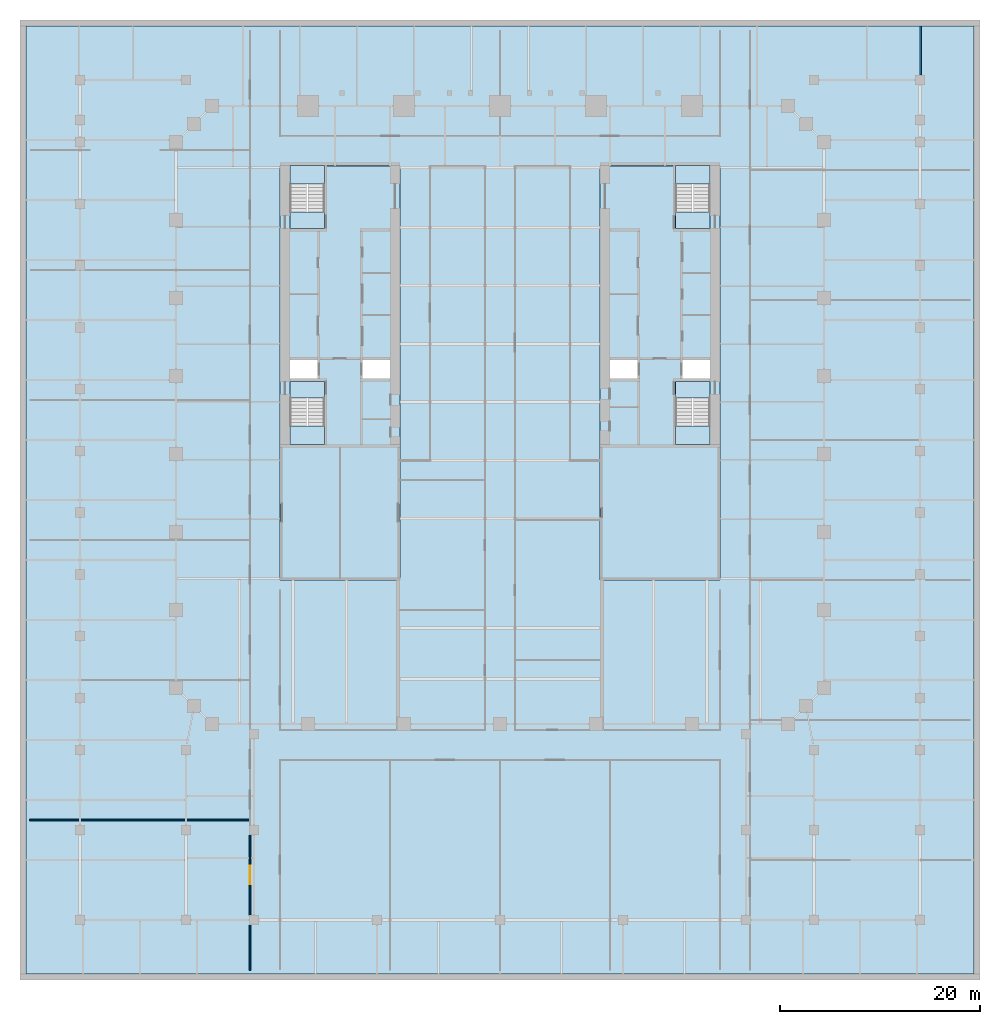
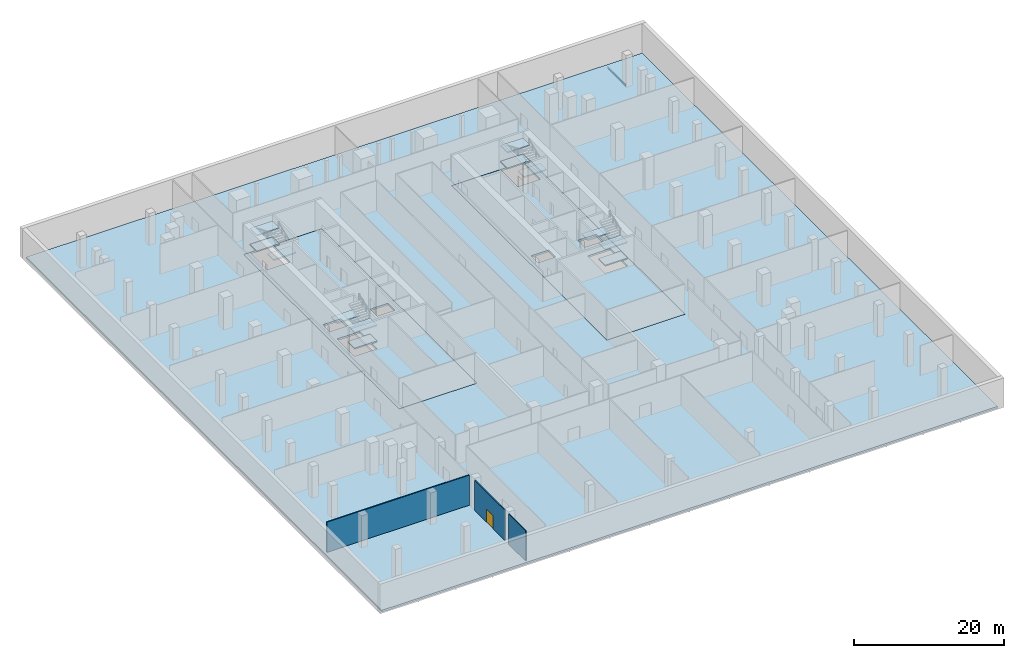
# One storey, part 4 of 15: 15 slabs, 3 walls, 1 beam, 1 door, 1 opening, 4 elements without a shape of their own.
"""IFC4 building model written with IfcOpenShell, lengths in metres."""

from ifc_helpers import new_model, si_unit, direction, frame, frame_2d, origin, origin_2d, place, context, subcontext, project, spatial, polyline, rectangle, i_section, outline, extrude, material, layer, layer_set, material_profile, profile_set, type_object, element, fill, aggregate, save


model = new_model("IFC4")

# Units and contexts
model_context = context("Model", 3, precision=1e-05, world=origin(), true_north=direction((0.0, 1.0)))
body_context = subcontext(model_context, "Body", "Model", "MODEL_VIEW")
ifc_project = project(units=[si_unit("LENGTHUNIT", "METRE"), si_unit("AREAUNIT", "SQUARE_METRE"), si_unit("VOLUMEUNIT", "CUBIC_METRE"), si_unit("PLANEANGLEUNIT", "RADIAN"), si_unit("MASSUNIT", "GRAM", prefix="KILO")], contexts=[model_context])

# Site, building, storey
site_placement = place(None, origin())
site = spatial("IfcSite", under=ifc_project, at=site_placement, CompositionType="ELEMENT")
building_placement = place(site_placement, origin())
building = spatial("IfcBuilding", under=site, at=building_placement, Name="Ogive Exchange Tower", CompositionType="ELEMENT")
storey_placement = place(building_placement, frame((0.0, 0.0, -5.199951171875)))
storey = spatial("IfcBuildingStorey", under=building, at=storey_placement, Name="B1", CompositionType="ELEMENT", Elevation=-5.199951171875)

# Beam
ifc_material_1 = material(Name="Steel ASTM A992 Gr50", Category="steel")
ifc_material_profile = material_profile(ifc_material_1, i_section(OverallWidth=0.1650390625, OverallDepth=0.31005859375, WebThickness=0.005859375, FlangeThickness=0.009765625, at=origin_2d()), Name="W310x38.7")
ifc_profile_set = profile_set([ifc_material_profile], Name="Steel ASTM A992 Gr50")
beam_type = type_object("IfcBeamType", Name="Floor beam W310x38.7", PredefinedType="JOIST", material=ifc_profile_set)
beam_placement = place(storey_placement, frame((42.066650390625, 34.5, -0.455078125), z_axis=(0.0, 1.0, 0.0), x_axis=(-1.0, 0.0, 0.0)))
element("IfcBeam", 1, at=beam_placement, inside=storey, type_object=beam_type, Name="Floor beam", PredefinedType="JOIST", context=body_context, shape_type="SweptSolid", body=[
    extrude(i_section(OverallWidth=0.1650390625, OverallDepth=0.31005859375, WebThickness=0.005859375, FlangeThickness=0.009765625, at=origin_2d()), origin(), (0.0, 0.0, 1.0), 4.89990234375),
])

# Slabs
ifc_material_2 = material(Name="Concrete C50/60", Category="concrete")
ifc_layer_1 = layer(ifc_material_2, 0.300048828125)
ifc_layer_set_1 = layer_set([ifc_layer_1], Name="Composite floor slab 300")
slab_type_1 = type_object("IfcSlabType", Name="Composite floor slab 300", PredefinedType="FLOOR", material=ifc_layer_set_1)
slab_1_placement = place(storey_placement, frame((0.0, 0.0, -0.300048828125)))
element("IfcSlab", 2, at=slab_1_placement, inside=storey, type_object=slab_type_1, Name="Composite floor slab", PredefinedType="FLOOR", context=body_context, shape_type="SweptSolid", body=[
    extrude(outline(polyline([(-47.39990234375, -55.39990234375), (-47.39990234375, 39.39990234375), (47.39990234375, 39.39990234375), (47.39990234375, -55.39990234375), (-47.39990234375, -55.39990234375)]), holes=[polyline([(-10.0, 25.39990234375), (-22.0, 25.39990234375), (-22.0, -16.0), (-10.0, -16.0), (-10.0, 25.39990234375)]), polyline([(22.0, 25.39990234375), (10.0, 25.39990234375), (10.0, -16.0), (22.0, -16.0), (22.0, 25.39990234375)])]), origin(), (0.0, 0.0, 1.0), 0.300048828125),
])
ifc_material_3 = material(Name="Concrete C70/85", Category="concrete")
ifc_layer_2 = layer(ifc_material_3, 0.300048828125)
ifc_layer_set_2 = layer_set([ifc_layer_2], Name="Core floor slab 300")
slab_type_2 = type_object("IfcSlabType", Name="Core floor slab 300", PredefinedType="FLOOR", material=ifc_layer_set_2)
slab_2_placement = place(storey_placement, frame((0.0, 0.0, -0.300048828125)))
element("IfcSlab", 3, at=slab_2_placement, inside=storey, type_object=slab_type_2, Name="Core floor slab", PredefinedType="FLOOR", context=body_context, shape_type="SweptSolid", body=[
    extrude(outline(polyline([(-10.0, 25.39990234375), (-10.0, -16.0), (-22.0, -16.0), (-22.0, 25.39990234375), (-21.0, 25.39990234375), (-21.0, 20.803955078125), (-17.550048828125, 20.803955078125), (-17.550048828125, 25.39990234375), (-10.0, 25.39990234375)]), holes=[polyline([(-17.550048828125, 2.196044921875), (-21.0, 2.196044921875), (-21.0, -2.449951171875), (-17.550048828125, -2.449951171875), (-17.550048828125, 2.196044921875)]), polyline([(-21.0, 5.992919921875), (-21.0, 4.14990234375), (-18.25, 4.14990234375), (-18.25, 5.992919921875), (-21.0, 5.992919921875)]), polyline([(-13.75, 5.992919921875), (-13.75, 4.14990234375), (-11.0, 4.14990234375), (-11.0, 5.992919921875), (-13.75, 5.992919921875)])]), origin(), (0.0, 0.0, 1.0), 0.300048828125),
])
slab_3_placement = place(storey_placement, frame((0.0, 0.0, -0.300048828125)))
element("IfcSlab", 4, at=slab_3_placement, inside=storey, type_object=slab_type_2, Name="Core floor slab", PredefinedType="FLOOR", context=body_context, shape_type="SweptSolid", body=[
    extrude(outline(polyline([(22.0, 25.39990234375), (22.0, -16.0), (10.0, -16.0), (10.0, 25.39990234375), (17.550048828125, 25.39990234375), (17.550048828125, 20.803955078125), (21.0, 20.803955078125), (21.0, 25.39990234375), (22.0, 25.39990234375)]), holes=[polyline([(21.0, 2.196044921875), (17.550048828125, 2.196044921875), (17.550048828125, -2.449951171875), (21.0, -2.449951171875), (21.0, 2.196044921875)]), polyline([(11.0, 5.992919921875), (11.0, 4.14990234375), (13.75, 4.14990234375), (13.75, 5.992919921875), (11.0, 5.992919921875)]), polyline([(18.25, 5.992919921875), (18.25, 4.14990234375), (21.0, 4.14990234375), (21.0, 5.992919921875), (18.25, 5.992919921875)])]), origin(), (0.0, 0.0, 1.0), 0.300048828125),
])

# Stair, slabs
ifc_material_4 = material(Name="Concrete C40/50", Category="concrete")
stair_type = type_object("IfcStairType", Name="Exit stair 1650 wide", PredefinedType="HALF_TURN_STAIR", material=ifc_material_4)
stair_1_placement = place(storey_placement, origin())
stair_1 = element("IfcStair", 5, at=stair_1_placement, inside=storey, type_object=stair_type, Name="B1 exit stair ST1", PredefinedType="HALF_TURN_STAIR")
ifc_layer_3 = layer(ifc_material_4, 0.199951171875)
ifc_layer_set_3 = layer_set([ifc_layer_3], Name="Stair landing 200 slab")
slab_type_3 = type_object("IfcSlabType", Name="Stair landing 200 slab", PredefinedType="LANDING", material=ifc_layer_set_3)
slab_4_placement = place(storey_placement, frame((0.0, 0.0, 1.099853515625)))
slab_4 = element("IfcSlab", 6, at=slab_4_placement, type_object=slab_type_3, Name="ST1 landing 1", PredefinedType="LANDING", context=body_context, shape_type="SweptSolid", body=[
    extrude(outline(polyline([(-21.0, -0.60791015625), (-21.0, -2.449951171875), (-17.550048828125, -2.449951171875), (-17.550048828125, -0.60791015625), (-21.0, -0.60791015625)])), origin(), (0.0, 0.0, 1.0), 0.2001953125),
])
slab_5_placement = place(storey_placement, frame((0.0, 0.0, 2.39990234375)))
slab_5 = element("IfcSlab", 7, at=slab_5_placement, type_object=slab_type_3, Name="ST1 landing 2", PredefinedType="LANDING", context=body_context, shape_type="SweptSolid", body=[
    extrude(outline(polyline([(-21.0, 3.85009765625), (-21.0, 2.199951171875), (-17.550048828125, 2.199951171875), (-17.550048828125, 3.85009765625), (-21.0, 3.85009765625)])), origin(), (0.0, 0.0, 1.0), 0.199951171875),
])
slab_6_placement = place(storey_placement, frame((0.0, 0.0, 3.699951171875)))
slab_6 = element("IfcSlab", 8, at=slab_6_placement, type_object=slab_type_3, Name="ST1 landing 3", PredefinedType="LANDING", context=body_context, shape_type="SweptSolid", body=[
    extrude(outline(polyline([(-21.0, -0.60791015625), (-21.0, -2.449951171875), (-17.550048828125, -2.449951171875), (-17.550048828125, -0.60791015625), (-21.0, -0.60791015625)])), origin(), (0.0, 0.0, 1.0), 0.199951171875),
])
aggregate(stair_1, [slab_4, slab_5, slab_6])

stair_2_placement = place(storey_placement, origin())
stair_2 = element("IfcStair", 9, at=stair_2_placement, inside=storey, type_object=stair_type, Name="B1 exit stair ST2", PredefinedType="HALF_TURN_STAIR")
slab_7_placement = place(storey_placement, frame((0.0, 0.0, 1.099853515625)))
slab_7 = element("IfcSlab", 10, at=slab_7_placement, type_object=slab_type_3, Name="ST2 landing 1", PredefinedType="LANDING", context=body_context, shape_type="SweptSolid", body=[
    extrude(outline(polyline([(-17.550048828125, 23.60791015625), (-17.550048828125, 25.449951171875), (-21.0, 25.449951171875), (-21.0, 23.60791015625), (-17.550048828125, 23.60791015625)])), origin(), (0.0, 0.0, 1.0), 0.2001953125),
])
slab_8_placement = place(storey_placement, frame((0.0, 0.0, 2.39990234375)))
slab_8 = element("IfcSlab", 11, at=slab_8_placement, type_object=slab_type_3, Name="ST2 landing 2", PredefinedType="LANDING", context=body_context, shape_type="SweptSolid", body=[
    extrude(outline(polyline([(-17.550048828125, 19.14990234375), (-17.550048828125, 20.800048828125), (-21.0, 20.800048828125), (-21.0, 19.14990234375), (-17.550048828125, 19.14990234375)])), origin(), (0.0, 0.0, 1.0), 0.199951171875),
])
slab_9_placement = place(storey_placement, frame((0.0, 0.0, 3.699951171875)))
slab_9 = element("IfcSlab", 12, at=slab_9_placement, type_object=slab_type_3, Name="ST2 landing 3", PredefinedType="LANDING", context=body_context, shape_type="SweptSolid", body=[
    extrude(outline(polyline([(-17.550048828125, 23.60791015625), (-17.550048828125, 25.449951171875), (-21.0, 25.449951171875), (-21.0, 23.60791015625), (-17.550048828125, 23.60791015625)])), origin(), (0.0, 0.0, 1.0), 0.199951171875),
])
aggregate(stair_2, [slab_7, slab_8, slab_9])

stair_3_placement = place(storey_placement, origin())
stair_3 = element("IfcStair", 13, at=stair_3_placement, inside=storey, type_object=stair_type, Name="B1 exit stair ST3", PredefinedType="HALF_TURN_STAIR")
slab_10_placement = place(storey_placement, frame((0.0, 0.0, 1.099853515625)))
slab_10 = element("IfcSlab", 14, at=slab_10_placement, type_object=slab_type_3, Name="ST3 landing 1", PredefinedType="LANDING", context=body_context, shape_type="SweptSolid", body=[
    extrude(outline(polyline([(17.550048828125, -0.60791015625), (17.550048828125, -2.449951171875), (21.0, -2.449951171875), (21.0, -0.60791015625), (17.550048828125, -0.60791015625)])), origin(), (0.0, 0.0, 1.0), 0.2001953125),
])
slab_11_placement = place(storey_placement, frame((0.0, 0.0, 2.39990234375)))
slab_11 = element("IfcSlab", 15, at=slab_11_placement, type_object=slab_type_3, Name="ST3 landing 2", PredefinedType="LANDING", context=body_context, shape_type="SweptSolid", body=[
    extrude(outline(polyline([(17.550048828125, 3.85009765625), (17.550048828125, 2.199951171875), (21.0, 2.199951171875), (21.0, 3.85009765625), (17.550048828125, 3.85009765625)])), origin(), (0.0, 0.0, 1.0), 0.199951171875),
])
slab_12_placement = place(storey_placement, frame((0.0, 0.0, 3.699951171875)))
slab_12 = element("IfcSlab", 16, at=slab_12_placement, type_object=slab_type_3, Name="ST3 landing 3", PredefinedType="LANDING", context=body_context, shape_type="SweptSolid", body=[
    extrude(outline(polyline([(17.550048828125, -0.60791015625), (17.550048828125, -2.449951171875), (21.0, -2.449951171875), (21.0, -0.60791015625), (17.550048828125, -0.60791015625)])), origin(), (0.0, 0.0, 1.0), 0.199951171875),
])
aggregate(stair_3, [slab_10, slab_11, slab_12])

stair_4_placement = place(storey_placement, origin())
stair_4 = element("IfcStair", 17, at=stair_4_placement, inside=storey, type_object=stair_type, Name="B1 exit stair ST4", PredefinedType="HALF_TURN_STAIR")
slab_13_placement = place(storey_placement, frame((0.0, 0.0, 1.099853515625)))
slab_13 = element("IfcSlab", 18, at=slab_13_placement, type_object=slab_type_3, Name="ST4 landing 1", PredefinedType="LANDING", context=body_context, shape_type="SweptSolid", body=[
    extrude(outline(polyline([(21.0, 23.60791015625), (21.0, 25.449951171875), (17.550048828125, 25.449951171875), (17.550048828125, 23.60791015625), (21.0, 23.60791015625)])), origin(), (0.0, 0.0, 1.0), 0.2001953125),
])
slab_14_placement = place(storey_placement, frame((0.0, 0.0, 2.39990234375)))
slab_14 = element("IfcSlab", 19, at=slab_14_placement, type_object=slab_type_3, Name="ST4 landing 2", PredefinedType="LANDING", context=body_context, shape_type="SweptSolid", body=[
    extrude(outline(polyline([(21.0, 19.14990234375), (21.0, 20.800048828125), (17.550048828125, 20.800048828125), (17.550048828125, 19.14990234375), (21.0, 19.14990234375)])), origin(), (0.0, 0.0, 1.0), 0.199951171875),
])
slab_15_placement = place(storey_placement, frame((0.0, 0.0, 3.699951171875)))
slab_15 = element("IfcSlab", 20, at=slab_15_placement, type_object=slab_type_3, Name="ST4 landing 3", PredefinedType="LANDING", context=body_context, shape_type="SweptSolid", body=[
    extrude(outline(polyline([(21.0, 23.60791015625), (21.0, 25.449951171875), (17.550048828125, 25.449951171875), (17.550048828125, 23.60791015625), (21.0, 23.60791015625)])), origin(), (0.0, 0.0, 1.0), 0.199951171875),
])
aggregate(stair_4, [slab_13, slab_14, slab_15])

# Walls
ifc_material_5 = material(Name="Fire partition EI 60 150")
ifc_layer_4 = layer(ifc_material_5, 0.14990234375)
ifc_layer_set_4 = layer_set([ifc_layer_4], Name="Fire partition EI 60 150")
wall_type = type_object("IfcWallType", Name="Fire partition EI 60 150", PredefinedType="PARTITIONING", material=ifc_layer_set_4)
wall_1_placement = place(storey_placement, frame((-47.0, -40.0, 0.0), z_axis=(0.0, 0.0, 1.0), x_axis=(1.0, 0.0, 0.0)))
element("IfcWall", 21, at=wall_1_placement, inside=storey, type_object=wall_type, Name="B1-PWL-003", PredefinedType="PARTITIONING", context=body_context, shape_type="SweptSolid", body=[
    extrude(rectangle(XDim=21.925048828125, YDim=0.14990234375, at=frame_2d((10.96240234375, 0.0))), origin(), (0.0, 0.0, 1.0), 4.89990234375),
])
wall_2_placement = place(storey_placement, frame((-25.0, -55.0, 0.0), z_axis=(0.0, 0.0, 1.0), x_axis=(0.0, 1.0, 0.0)))
element("IfcWall", 22, at=wall_2_placement, inside=storey, type_object=wall_type, Name="B1-PWL-039", PredefinedType="PARTITIONING", context=body_context, shape_type="SweptSolid", body=[
    extrude(rectangle(XDim=4.5, YDim=0.14990234375, at=frame_2d((2.25, 0.0))), origin(), (0.0, 0.0, 1.0), 4.89990234375),
])

# Wall, opening, door
wall_3_placement = place(storey_placement, frame((-25.0, -49.5, 0.0), z_axis=(0.0, 0.0, 1.0), x_axis=(0.0, 1.0, 0.0)))
wall_3 = element("IfcWall", 23, at=wall_3_placement, inside=storey, type_object=wall_type, Name="B1-PWL-040", PredefinedType="PARTITIONING", context=body_context, shape_type="SweptSolid", body=[
    extrude(rectangle(XDim=8.0, YDim=0.14990234375, at=frame_2d((4.0, 0.0))), origin(), (0.0, 0.0, 1.0), 4.89990234375),
])
opening_placement = place(wall_3_placement, frame((3.10009765625, 0.0, 0.0)))
opening = element("IfcOpeningElement", 24, at=opening_placement, cuts=wall_3, Name="Opening B1-I01", PredefinedType="OPENING", context=body_context, shape_type="SweptSolid", body=[
    extrude(rectangle(XDim=1.800048828125, YDim=2.10009765625, at=frame_2d((0.89990234375, 1.050048828125))), frame((0.0, 0.0849609375, 0.0), z_axis=(0.0, -1.0, 0.0), x_axis=(1.0, 0.0, 0.0)), (0.0, 0.0, 1.0), 0.169921875),
])
ifc_material_6 = material(Name="Fire door FD 30S 1800 x 2100")
door_type = type_object("IfcDoorType", Name="Fire door FD 30S 1800 x 2100", OperationType="DOUBLE_DOOR_SINGLE_SWING", PredefinedType="DOOR", material=ifc_material_6)
door_placement = place(opening_placement, origin())
door = element("IfcDoor", 25, at=door_placement, inside=storey, type_object=door_type, Name="B1-IDR-001", ObjectType="DT4", OperationType="SINGLE_SWING_LEFT", OverallHeight=2.10009765625, OverallWidth=1.800048828125, PredefinedType="DOOR", context=body_context, shape_type="SweptSolid", body=[
    extrude(rectangle(XDim=1.800048828125, YDim=2.10009765625, at=frame_2d((0.89990234375, 1.050048828125))), frame((0.0, 0.02490234375, 0.0), z_axis=(0.0, -1.0, 0.0), x_axis=(1.0, 0.0, 0.0)), (0.0, 0.0, 1.0), 0.050048828125),
])
fill(opening, door)

save(model, "model.ifc")
